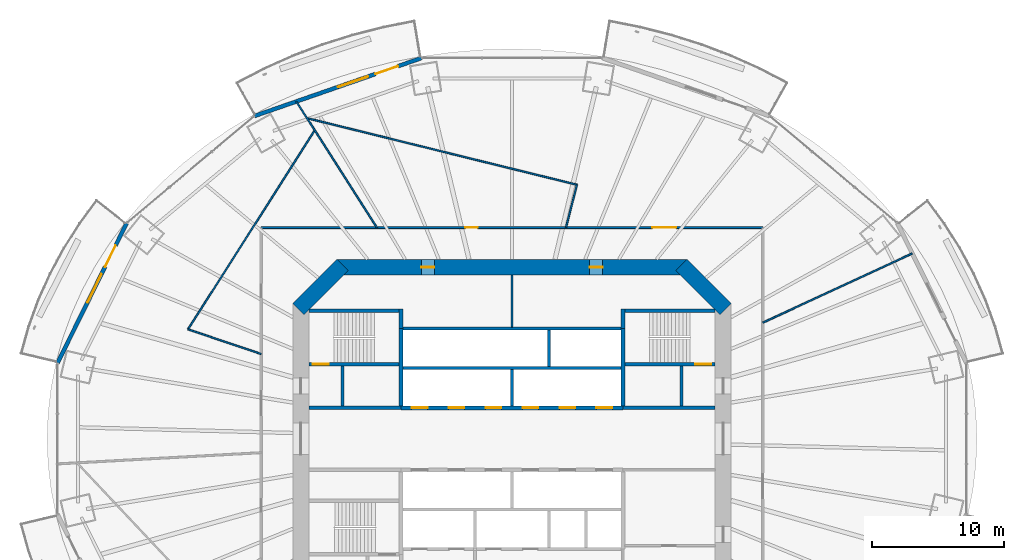
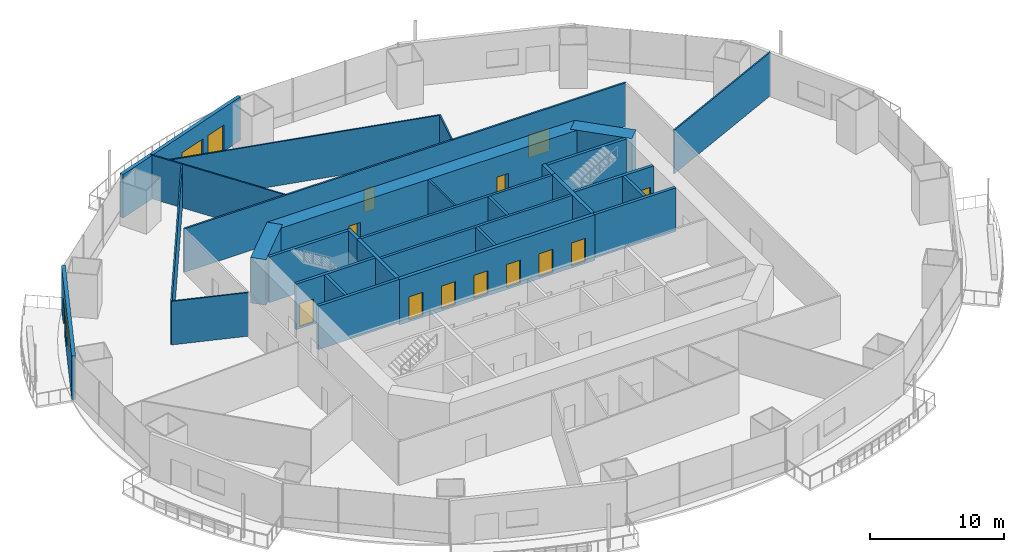
# One storey, part 15 of 22: 30 walls, 14 doors, 2 windows, 16 openings.
"""IFC4 building model written with IfcOpenShell, lengths in metres."""

from ifc_helpers import new_model, si_unit, direction, frame, frame_2d, origin, place, context, subcontext, project, spatial, rectangle, extrude, material, layer, layer_set, type_object, element, fill, save


model = new_model("IFC4")

# Units and contexts
model_context = context("Model", 3, precision=1e-05, world=origin(), true_north=direction((0.0, 1.0)))
body_context = subcontext(model_context, "Body", "Model", "MODEL_VIEW")
ifc_project = project(units=[si_unit("LENGTHUNIT", "METRE"), si_unit("AREAUNIT", "SQUARE_METRE"), si_unit("VOLUMEUNIT", "CUBIC_METRE"), si_unit("PLANEANGLEUNIT", "RADIAN"), si_unit("MASSUNIT", "GRAM", prefix="KILO")], contexts=[model_context])

# Site, building, storey
site_placement = place(None, origin())
site = spatial("IfcSite", under=ifc_project, at=site_placement, CompositionType="ELEMENT")
building_placement = place(site_placement, origin())
building = spatial("IfcBuilding", under=site, at=building_placement, Name="Marenthal Gate Tower", CompositionType="ELEMENT")
storey_placement = place(building_placement, frame((0.0, 0.0, 91.10009765625)))
storey = spatial("IfcBuildingStorey", under=building, at=storey_placement, Name="L18", CompositionType="ELEMENT", Elevation=91.10009765625)

# Wall
ifc_material_1 = material(Name="Concrete 60 MPa", Category="concrete")
ifc_layer_1 = layer(ifc_material_1, 1.199951171875)
ifc_layer_set_1 = layer_set([ifc_layer_1], Name="Core shear wall 1200")
wall_type_1 = type_object("IfcWallType", Name="Core shear wall 1200", PredefinedType="SHEAR", material=ifc_layer_set_1)
wall_1_placement = place(storey_placement, frame((16.17578125, 9.82421875, -0.18017578125), z_axis=(0.0, 0.0, 1.0), x_axis=(-0.707106781187, 0.707106781187, 0.0)))
element("IfcWall", 1, at=wall_1_placement, inside=storey, type_object=wall_type_1, Name="Core wall 03", PredefinedType="SHEAR", context=body_context, shape_type="SweptSolid", body=[
    extrude(rectangle(XDim=4.73974609375, YDim=1.199951171875, at=frame_2d((2.369873046875, 0.0))), origin(), (0.0, 0.0, 1.0), 4.150146484375),
])

# Wall, openings, doors
wall_2_placement = place(storey_placement, frame((13.24853515625, 13.0, -0.18017578125), z_axis=(0.0, 0.0, 1.0), x_axis=(-1.0, 0.0, 0.0)))
wall_2 = element("IfcWall", 2, at=wall_2_placement, inside=storey, type_object=wall_type_1, Name="Core wall 04", PredefinedType="SHEAR", context=body_context, shape_type="SweptSolid", body=[
    extrude(rectangle(XDim=26.4970703125, YDim=1.199951171875, at=frame_2d((13.24853515625, 0.0))), origin(), (0.0, 0.0, 1.0), 4.150146484375),
])
opening_1_placement = place(wall_2_placement, frame((19.12451171875, 0.0, 0.179931640625)))
opening_1 = element("IfcOpeningElement", 3, at=opening_1_placement, cuts=wall_2, Name="Opening D005.01", PredefinedType="OPENING", context=body_context, shape_type="SweptSolid", body=[
    extrude(rectangle(XDim=1.0, YDim=2.10009765625, at=frame_2d((0.5, 1.050048828125))), frame((0.0, 0.60986328125, 0.0), z_axis=(0.0, -1.0, 0.0), x_axis=(1.0, 0.0, 0.0)), (0.0, 0.0, 1.0), 1.219970703125),
])
opening_2_placement = place(wall_2_placement, frame((6.37255859375, 0.0, 0.179931640625)))
opening_2 = element("IfcOpeningElement", 4, at=opening_2_placement, cuts=wall_2, Name="Opening D005.02", PredefinedType="OPENING", context=body_context, shape_type="SweptSolid", body=[
    extrude(rectangle(XDim=1.0, YDim=2.10009765625, at=frame_2d((0.5, 1.050048828125))), frame((0.0, 0.60986328125, 0.0), z_axis=(0.0, -1.0, 0.0), x_axis=(1.0, 0.0, 0.0)), (0.0, 0.0, 1.0), 1.219970703125),
])
ifc_material_2 = material(Name="Steel fire door", Category="steel")
door_type_1 = type_object("IfcDoorType", Name="Fire door FD 45 1000 x 2100", OperationType="NOTDEFINED", PredefinedType="DOOR", material=ifc_material_2)
door_1_placement = place(opening_1_placement, origin())
door_1 = element("IfcDoor", 5, at=door_1_placement, inside=storey, type_object=door_type_1, Name="Door D005.01", OperationType="SINGLE_SWING_RIGHT", OverallHeight=2.10009765625, OverallWidth=1.0, PredefinedType="DOOR", context=body_context, shape_type="SweptSolid", body=[
    extrude(rectangle(XDim=1.0, YDim=2.10009765625, at=frame_2d((0.5, 1.050048828125))), frame((0.0, 0.02490234375, 0.0), z_axis=(0.0, -1.0, 0.0), x_axis=(1.0, 0.0, 0.0)), (0.0, 0.0, 1.0), 0.050048828125),
])
fill(opening_1, door_1)
door_2_placement = place(opening_2_placement, origin())
door_2 = element("IfcDoor", 6, at=door_2_placement, inside=storey, type_object=door_type_1, Name="Door D005.02", OperationType="SINGLE_SWING_RIGHT", OverallHeight=2.10009765625, OverallWidth=1.0, PredefinedType="DOOR", context=body_context, shape_type="SweptSolid", body=[
    extrude(rectangle(XDim=1.0, YDim=2.10009765625, at=frame_2d((0.5, 1.050048828125))), frame((0.0, 0.02490234375, 0.0), z_axis=(0.0, -1.0, 0.0), x_axis=(1.0, 0.0, 0.0)), (0.0, 0.0, 1.0), 0.050048828125),
])
fill(opening_2, door_2)

# Wall
wall_3_placement = place(storey_placement, frame((-12.82421875, 13.17578125, -0.18017578125), z_axis=(0.0, 0.0, 1.0), x_axis=(-0.707106781187, -0.707106781187, 0.0)))
element("IfcWall", 7, at=wall_3_placement, inside=storey, type_object=wall_type_1, Name="Core wall 05", PredefinedType="SHEAR", context=body_context, shape_type="SweptSolid", body=[
    extrude(rectangle(XDim=4.73974609375, YDim=1.199951171875, at=frame_2d((2.369873046875, 0.0))), origin(), (0.0, 0.0, 1.0), 4.150146484375),
])

# Wall, openings, doors
ifc_material_3 = material(Name="Concrete 50 MPa", Category="concrete")
ifc_layer_2 = layer(ifc_material_3, 0.300048828125)
ifc_layer_set_2 = layer_set([ifc_layer_2], Name="Hoistway shear wall 300")
wall_type_2 = type_object("IfcWallType", Name="Hoistway shear wall 300", PredefinedType="SHEAR", material=ifc_layer_set_2)
wall_4_placement = place(storey_placement, frame((-8.39990234375, 2.35009765625, -0.18017578125), z_axis=(0.0, 0.0, 1.0), x_axis=(1.0, 0.0, 0.0)))
wall_4 = element("IfcWall", 8, at=wall_4_placement, inside=storey, type_object=wall_type_2, Name="Hoistway wall 20", PredefinedType="SHEAR", context=body_context, shape_type="SweptSolid", body=[
    extrude(rectangle(XDim=16.7998046875, YDim=0.300048828125, at=frame_2d((8.39990234375, 0.0))), origin(), (0.0, 0.0, 1.0), 4.150146484375),
])
opening_3_placement = place(wall_4_placement, frame((0.800048828125, 0.0, 0.179931640625)))
opening_3 = element("IfcOpeningElement", 9, at=opening_3_placement, cuts=wall_4, Name="Opening LD-LP1", PredefinedType="OPENING", context=body_context, shape_type="SweptSolid", body=[
    extrude(rectangle(XDim=1.199951171875, YDim=2.10009765625, at=frame_2d((0.60009765625, 1.050048828125))), frame((0.0, 0.16015625, 0.0), z_axis=(0.0, -1.0, 0.0), x_axis=(1.0, 0.0, 0.0)), (0.0, 0.0, 1.0), 0.320068359375),
])
opening_4_placement = place(wall_4_placement, frame((3.60009765625, 0.0, 0.179931640625)))
opening_4 = element("IfcOpeningElement", 10, at=opening_4_placement, cuts=wall_4, Name="Opening LD-LP2", PredefinedType="OPENING", context=body_context, shape_type="SweptSolid", body=[
    extrude(rectangle(XDim=1.199951171875, YDim=2.10009765625, at=frame_2d((0.60009765625, 1.050048828125))), frame((0.0, 0.16015625, 0.0), z_axis=(0.0, -1.0, 0.0), x_axis=(1.0, 0.0, 0.0)), (0.0, 0.0, 1.0), 0.320068359375),
])
opening_5_placement = place(wall_4_placement, frame((6.39990234375, 0.0, 0.179931640625)))
opening_5 = element("IfcOpeningElement", 11, at=opening_5_placement, cuts=wall_4, Name="Opening LD-LP3", PredefinedType="OPENING", context=body_context, shape_type="SweptSolid", body=[
    extrude(rectangle(XDim=1.199951171875, YDim=2.10009765625, at=frame_2d((0.60009765625, 1.050048828125))), frame((0.0, 0.16015625, 0.0), z_axis=(0.0, -1.0, 0.0), x_axis=(1.0, 0.0, 0.0)), (0.0, 0.0, 1.0), 0.320068359375),
])
opening_6_placement = place(wall_4_placement, frame((9.199951171875, 0.0, 0.179931640625)))
opening_6 = element("IfcOpeningElement", 12, at=opening_6_placement, cuts=wall_4, Name="Opening LD-LP4", PredefinedType="OPENING", context=body_context, shape_type="SweptSolid", body=[
    extrude(rectangle(XDim=1.199951171875, YDim=2.10009765625, at=frame_2d((0.60009765625, 1.050048828125))), frame((0.0, 0.16015625, 0.0), z_axis=(0.0, -1.0, 0.0), x_axis=(1.0, 0.0, 0.0)), (0.0, 0.0, 1.0), 0.320068359375),
])
opening_7_placement = place(wall_4_placement, frame((12.0, 0.0, 0.179931640625)))
opening_7 = element("IfcOpeningElement", 13, at=opening_7_placement, cuts=wall_4, Name="Opening LD-LP5", PredefinedType="OPENING", context=body_context, shape_type="SweptSolid", body=[
    extrude(rectangle(XDim=1.199951171875, YDim=2.10009765625, at=frame_2d((0.60009765625, 1.050048828125))), frame((0.0, 0.16015625, 0.0), z_axis=(0.0, -1.0, 0.0), x_axis=(1.0, 0.0, 0.0)), (0.0, 0.0, 1.0), 0.320068359375),
])
opening_8_placement = place(wall_4_placement, frame((14.800048828125, 0.0, 0.179931640625)))
opening_8 = element("IfcOpeningElement", 14, at=opening_8_placement, cuts=wall_4, Name="Opening LD-LP6", PredefinedType="OPENING", context=body_context, shape_type="SweptSolid", body=[
    extrude(rectangle(XDim=1.199951171875, YDim=2.10009765625, at=frame_2d((0.60009765625, 1.050048828125))), frame((0.0, 0.16015625, 0.0), z_axis=(0.0, -1.0, 0.0), x_axis=(1.0, 0.0, 0.0)), (0.0, 0.0, 1.0), 0.320068359375),
])
ifc_material_4 = material(Name="Stainless steel sliding door", Category="steel")
door_type_2 = type_object("IfcDoorType", Name="Lift landing door FD 90 1200 x 2100", OperationType="DOUBLE_DOOR_SLIDING", PredefinedType="DOOR", material=ifc_material_4)
door_3_placement = place(opening_3_placement, origin())
door_3 = element("IfcDoor", 15, at=door_3_placement, inside=storey, type_object=door_type_2, Name="Lift landing door LP1", OperationType="DOUBLE_DOOR_SLIDING", OverallHeight=2.10009765625, OverallWidth=1.199951171875, PredefinedType="DOOR", context=body_context, shape_type="SweptSolid", body=[
    extrude(rectangle(XDim=1.199951171875, YDim=2.10009765625, at=frame_2d((0.60009765625, 1.050048828125))), frame((0.0, 0.02490234375, 0.0), z_axis=(0.0, -1.0, 0.0), x_axis=(1.0, 0.0, 0.0)), (0.0, 0.0, 1.0), 0.050048828125),
])
fill(opening_3, door_3)
door_4_placement = place(opening_4_placement, origin())
door_4 = element("IfcDoor", 16, at=door_4_placement, inside=storey, type_object=door_type_2, Name="Lift landing door LP2", OperationType="DOUBLE_DOOR_SLIDING", OverallHeight=2.10009765625, OverallWidth=1.199951171875, PredefinedType="DOOR", context=body_context, shape_type="SweptSolid", body=[
    extrude(rectangle(XDim=1.199951171875, YDim=2.10009765625, at=frame_2d((0.60009765625, 1.050048828125))), frame((0.0, 0.02490234375, 0.0), z_axis=(0.0, -1.0, 0.0), x_axis=(1.0, 0.0, 0.0)), (0.0, 0.0, 1.0), 0.050048828125),
])
fill(opening_4, door_4)
door_5_placement = place(opening_5_placement, origin())
door_5 = element("IfcDoor", 17, at=door_5_placement, inside=storey, type_object=door_type_2, Name="Lift landing door LP3", OperationType="DOUBLE_DOOR_SLIDING", OverallHeight=2.10009765625, OverallWidth=1.199951171875, PredefinedType="DOOR", context=body_context, shape_type="SweptSolid", body=[
    extrude(rectangle(XDim=1.199951171875, YDim=2.10009765625, at=frame_2d((0.60009765625, 1.050048828125))), frame((0.0, 0.02490234375, 0.0), z_axis=(0.0, -1.0, 0.0), x_axis=(1.0, 0.0, 0.0)), (0.0, 0.0, 1.0), 0.050048828125),
])
fill(opening_5, door_5)
door_6_placement = place(opening_6_placement, origin())
door_6 = element("IfcDoor", 18, at=door_6_placement, inside=storey, type_object=door_type_2, Name="Lift landing door LP4", OperationType="DOUBLE_DOOR_SLIDING", OverallHeight=2.10009765625, OverallWidth=1.199951171875, PredefinedType="DOOR", context=body_context, shape_type="SweptSolid", body=[
    extrude(rectangle(XDim=1.199951171875, YDim=2.10009765625, at=frame_2d((0.60009765625, 1.050048828125))), frame((0.0, 0.02490234375, 0.0), z_axis=(0.0, -1.0, 0.0), x_axis=(1.0, 0.0, 0.0)), (0.0, 0.0, 1.0), 0.050048828125),
])
fill(opening_6, door_6)
door_7_placement = place(opening_7_placement, origin())
door_7 = element("IfcDoor", 19, at=door_7_placement, inside=storey, type_object=door_type_2, Name="Lift landing door LP5", OperationType="DOUBLE_DOOR_SLIDING", OverallHeight=2.10009765625, OverallWidth=1.199951171875, PredefinedType="DOOR", context=body_context, shape_type="SweptSolid", body=[
    extrude(rectangle(XDim=1.199951171875, YDim=2.10009765625, at=frame_2d((0.60009765625, 1.050048828125))), frame((0.0, 0.02490234375, 0.0), z_axis=(0.0, -1.0, 0.0), x_axis=(1.0, 0.0, 0.0)), (0.0, 0.0, 1.0), 0.050048828125),
])
fill(opening_7, door_7)
door_8_placement = place(opening_8_placement, origin())
door_8 = element("IfcDoor", 20, at=door_8_placement, inside=storey, type_object=door_type_2, Name="Lift landing door LP6", OperationType="DOUBLE_DOOR_SLIDING", OverallHeight=2.10009765625, OverallWidth=1.199951171875, PredefinedType="DOOR", context=body_context, shape_type="SweptSolid", body=[
    extrude(rectangle(XDim=1.199951171875, YDim=2.10009765625, at=frame_2d((0.60009765625, 1.050048828125))), frame((0.0, 0.02490234375, 0.0), z_axis=(0.0, -1.0, 0.0), x_axis=(1.0, 0.0, 0.0)), (0.0, 0.0, 1.0), 0.050048828125),
])
fill(opening_8, door_8)

# Walls
for number, where, z_axis, x_axis, name in (
    (21, (-8.39990234375, 2.5, -0.18017578125), (0.0, 0.0, 1.0), (0.0, 1.0, 0.0), "Hoistway wall 32"),
    (22, (8.39990234375, 2.5, -0.18017578125), (0.0, 0.0, 1.0), (0.0, 1.0, 0.0), "Hoistway wall 44"),
):
    element("IfcWall", number, at=place(storey_placement, frame(where, z_axis=z_axis, x_axis=x_axis)), inside=storey, type_object=wall_type_2, Name=name, PredefinedType="SHEAR", context=body_context, shape_type="SweptSolid", body=[
        extrude(rectangle(XDim=5.85009765625, YDim=0.300048828125, at=frame_2d((2.925048828125, 0.0))), origin(), (0.0, 0.0, 1.0), 4.150146484375),
    ])
ifc_material_5 = material(Name="Concrete 40 MPa", Category="concrete")
ifc_layer_3 = layer(ifc_material_5, 0.219970703125)
ifc_layer_set_3 = layer_set([ifc_layer_3], Name="Hoistway wall 220")
wall_type_3 = type_object("IfcWallType", Name="Hoistway wall 220", PredefinedType="STANDARD", material=ifc_layer_set_3)
for number, where, z_axis, x_axis, name in (
    (23, (-8.25, 5.35009765625, 0.0), (0.0, 0.0, 1.0), (1.0, 0.0, 0.0), "Hoistway wall 22"),
    (24, (-8.25, 8.35009765625, 0.0), (0.0, 0.0, 1.0), (1.0, 0.0, 0.0), "Hoistway wall 25"),
):
    element("IfcWall", number, at=place(storey_placement, frame(where, z_axis=z_axis, x_axis=x_axis)), inside=storey, type_object=wall_type_3, Name=name, PredefinedType="STANDARD", context=body_context, shape_type="SweptSolid", body=[
        extrude(rectangle(XDim=16.5, YDim=0.219970703125, at=frame_2d((8.25, 0.0))), origin(), (0.0, 0.0, 1.0), 3.969970703125),
    ])
wall_5_placement = place(storey_placement, frame((0.0, 2.5, 0.0), z_axis=(0.0, 0.0, 1.0), x_axis=(0.0, 1.0, 0.0)))
element("IfcWall", 25, at=wall_5_placement, inside=storey, type_object=wall_type_3, Name="Hoistway wall 37", PredefinedType="STANDARD", context=body_context, shape_type="SweptSolid", body=[
    extrude(rectangle(XDim=2.739990234375, YDim=0.219970703125, at=frame_2d((1.3701171875, 0.0))), origin(), (0.0, 0.0, 1.0), 3.969970703125),
])
wall_6_placement = place(storey_placement, frame((2.800048828125, 5.4599609375, 0.0), z_axis=(0.0, 0.0, 1.0), x_axis=(0.0, 1.0, 0.0)))
element("IfcWall", 26, at=wall_6_placement, inside=storey, type_object=wall_type_3, Name="Hoistway wall 40", PredefinedType="STANDARD", context=body_context, shape_type="SweptSolid", body=[
    extrude(rectangle(XDim=2.780029296875, YDim=0.219970703125, at=frame_2d((1.39013671875, 0.0))), origin(), (0.0, 0.0, 1.0), 3.969970703125),
])
ifc_material_6 = material(Name="Gypsum board on steel studs", Category="steel")
ifc_layer_4 = layer(ifc_material_6, 0.1201171875)
ifc_layer_set_4 = layer_set([ifc_layer_4], Name="Partition 120")
wall_type_4 = type_object("IfcWallType", Name="Partition 120", PredefinedType="PARTITIONING", material=ifc_layer_set_4)
wall_7_placement = place(storey_placement, frame((-24.547607421875, 8.293701171875, 0.0), z_axis=(0.0, 0.0, 1.0), x_axis=(0.947391329826, -0.320077597108, 0.0)))
element("IfcWall", 27, at=wall_7_placement, inside=storey, type_object=wall_type_4, Name="Partition wall 48", PredefinedType="PARTITIONING", context=body_context, shape_type="SweptSolid", body=[
    extrude(rectangle(XDim=5.855712890625, YDim=0.1201171875, at=frame_2d((2.927734375, 0.0))), origin(), (0.0, 0.0, 1.0), 3.969970703125),
])
wall_8_placement = place(storey_placement, frame((-14.9482421875, 23.376708984375, 0.0), z_axis=(0.0, 0.0, 1.0), x_axis=(-0.536918787307, -0.843633934735, 0.0)))
element("IfcWall", 28, at=wall_8_placement, inside=storey, type_object=wall_type_4, Name="Partition wall 53", PredefinedType="PARTITIONING", context=body_context, shape_type="SweptSolid", body=[
    extrude(rectangle(XDim=17.878662109375, YDim=0.1201171875, at=frame_2d((8.939453125, 0.0))), origin(), (0.0, 0.0, 1.0), 3.969970703125),
])
wall_9_placement = place(storey_placement, frame((-10.231201171875, 16.0, 0.0), z_axis=(0.0, 0.0, 1.0), x_axis=(-0.538717793893, 0.84248628389, 0.0)))
element("IfcWall", 29, at=wall_9_placement, inside=storey, type_object=wall_type_4, Name="Partition wall 54", PredefinedType="PARTITIONING", context=body_context, shape_type="SweptSolid", body=[
    extrude(rectangle(XDim=11.34521484375, YDim=0.1201171875, at=frame_2d((5.672607421875, 0.0))), origin(), (0.0, 0.0, 1.0), 3.969970703125),
])
wall_10_placement = place(storey_placement, frame((4.920166015625, 19.24853515625, 0.0), z_axis=(0.0, 0.0, 1.0), x_axis=(-0.970900483389, 0.239483300786, 0.0)))
element("IfcWall", 30, at=wall_10_placement, inside=storey, type_object=wall_type_4, Name="Partition wall 60", PredefinedType="PARTITIONING", context=body_context, shape_type="SweptSolid", body=[
    extrude(rectangle(XDim=21.06787109375, YDim=0.1201171875, at=frame_2d((10.533935546875, 0.0))), origin(), (0.0, 0.0, 1.0), 3.969970703125),
])
wall_11_placement = place(storey_placement, frame((4.920166015625, 19.24853515625, 0.0), z_axis=(0.0, 0.0, 1.0), x_axis=(-0.247706104216, -0.96883522125, 0.0)))
element("IfcWall", 31, at=wall_11_placement, inside=storey, type_object=wall_type_4, Name="Partition wall 61", PredefinedType="PARTITIONING", context=body_context, shape_type="SweptSolid", body=[
    extrude(rectangle(XDim=3.35302734375, YDim=0.1201171875, at=frame_2d((1.676513671875, 0.0))), origin(), (0.0, 0.0, 1.0), 3.969970703125),
])
wall_12_placement = place(storey_placement, frame((19.0, 8.798095703125, 0.0), z_axis=(0.0, 0.0, 1.0), x_axis=(0.907434463357, 0.420193639543, 0.0)))
element("IfcWall", 32, at=wall_12_placement, inside=storey, type_object=wall_type_4, Name="Partition wall 65", PredefinedType="PARTITIONING", context=body_context, shape_type="SweptSolid", body=[
    extrude(rectangle(XDim=12.486083984375, YDim=0.1201171875, at=frame_2d((6.2431640625, 0.0))), origin(), (0.0, 0.0, 1.0), 3.969970703125),
])
ifc_material_7 = material(Name="Gypsum board on steel studs", Category="steel")
ifc_layer_5 = layer(ifc_material_7, 0.14990234375)
ifc_layer_set_5 = layer_set([ifc_layer_5], Name="Partition 150")
wall_type_5 = type_object("IfcWallType", Name="Partition 150", PredefinedType="PARTITIONING", material=ifc_layer_set_5)
wall_13_placement = place(storey_placement, frame((0.0, 8.4599609375, 0.0), z_axis=(0.0, 0.0, 1.0), x_axis=(0.0, 1.0, 0.0)))
element("IfcWall", 33, at=wall_13_placement, inside=storey, type_object=wall_type_5, Name="Partition wall 38", PredefinedType="PARTITIONING", context=body_context, shape_type="SweptSolid", body=[
    extrude(rectangle(XDim=3.93994140625, YDim=0.14990234375, at=frame_2d((1.969970703125, 0.0))), origin(), (0.0, 0.0, 1.0), 3.969970703125),
])

# Wall, openings, doors
wall_14_placement = place(storey_placement, frame((-19.0, 16.0, 0.0), z_axis=(0.0, 0.0, 1.0), x_axis=(1.0, 0.0, 0.0)))
wall_14 = element("IfcWall", 34, at=wall_14_placement, inside=storey, type_object=wall_type_5, Name="Partition wall 52", PredefinedType="PARTITIONING", context=body_context, shape_type="SweptSolid", body=[
    extrude(rectangle(XDim=38.0, YDim=0.14990234375, at=frame_2d((19.0, 0.0))), origin(), (0.0, 0.0, 1.0), 3.969970703125),
])
opening_9_placement = place(wall_14_placement, frame((15.455078125, 0.0, 0.0)))
opening_9 = element("IfcOpeningElement", 35, at=opening_9_placement, cuts=wall_14, Name="Opening D016.01", PredefinedType="OPENING", context=body_context, shape_type="SweptSolid", body=[
    extrude(rectangle(XDim=0.949951171875, YDim=2.10009765625, at=frame_2d((0.47509765625, 1.050048828125))), frame((0.0, 0.0849609375, 0.0), z_axis=(0.0, -1.0, 0.0), x_axis=(1.0, 0.0, 0.0)), (0.0, 0.0, 1.0), 0.169921875),
])
opening_10_placement = place(wall_14_placement, frame((29.64501953125, 0.0, 0.0)))
opening_10 = element("IfcOpeningElement", 36, at=opening_10_placement, cuts=wall_14, Name="Opening D014.01", PredefinedType="OPENING", context=body_context, shape_type="SweptSolid", body=[
    extrude(rectangle(XDim=1.800048828125, YDim=2.10009765625, at=frame_2d((0.89990234375, 1.050048828125))), frame((0.0, 0.0849609375, 0.0), z_axis=(0.0, -1.0, 0.0), x_axis=(1.0, 0.0, 0.0)), (0.0, 0.0, 1.0), 0.169921875),
])
ifc_material_8 = material(Name="Timber door", Category="wood")
door_type_3 = type_object("IfcDoorType", Name="Door 950 x 2100", OperationType="NOTDEFINED", PredefinedType="DOOR", material=ifc_material_8)
door_9_placement = place(opening_9_placement, origin())
door_9 = element("IfcDoor", 37, at=door_9_placement, inside=storey, type_object=door_type_3, Name="Door D016.01", OperationType="SINGLE_SWING_RIGHT", OverallHeight=2.10009765625, OverallWidth=0.949951171875, PredefinedType="DOOR", context=body_context, shape_type="SweptSolid", body=[
    extrude(rectangle(XDim=0.949951171875, YDim=2.10009765625, at=frame_2d((0.47509765625, 1.050048828125))), frame((0.0, 0.02490234375, 0.0), z_axis=(0.0, -1.0, 0.0), x_axis=(1.0, 0.0, 0.0)), (0.0, 0.0, 1.0), 0.050048828125),
])
fill(opening_9, door_9)
ifc_material_9 = material(Name="Timber door", Category="wood")
door_type_4 = type_object("IfcDoorType", Name="Double door 1800 x 2100", OperationType="DOUBLE_DOOR_SINGLE_SWING", PredefinedType="DOOR", material=ifc_material_9)
door_10_placement = place(opening_10_placement, origin())
door_10 = element("IfcDoor", 38, at=door_10_placement, inside=storey, type_object=door_type_4, Name="Door D014.01", OperationType="DOUBLE_DOOR_SINGLE_SWING", OverallHeight=2.10009765625, OverallWidth=1.800048828125, PredefinedType="DOOR", context=body_context, shape_type="SweptSolid", body=[
    extrude(rectangle(XDim=1.800048828125, YDim=2.10009765625, at=frame_2d((0.89990234375, 1.050048828125))), frame((0.0, 0.02490234375, 0.0), z_axis=(0.0, -1.0, 0.0), x_axis=(1.0, 0.0, 0.0)), (0.0, 0.0, 1.0), 0.050048828125),
])
fill(opening_10, door_10)

# Walls
ifc_material_10 = material(Name="Concrete 40 MPa", Category="concrete")
ifc_layer_6 = layer(ifc_material_10, 0.25)
ifc_layer_set_6 = layer_set([ifc_layer_6], Name="Stair enclosure wall 250")
wall_type_6 = type_object("IfcWallType", Name="Stair enclosure wall 250", PredefinedType="STANDARD", material=ifc_layer_set_6)
for number, where, z_axis, x_axis, name in (
    (39, (-15.39990234375, 2.35009765625, 0.0), (0.0, 0.0, 1.0), (1.0, 0.0, 0.0), "Stair wall 19"),
    (40, (8.39990234375, 2.35009765625, 0.0), (0.0, 0.0, 1.0), (1.0, 0.0, 0.0), "Stair wall 21"),
):
    element("IfcWall", number, at=place(storey_placement, frame(where, z_axis=z_axis, x_axis=x_axis)), inside=storey, type_object=wall_type_6, Name=name, PredefinedType="STANDARD", context=body_context, shape_type="SweptSolid", body=[
        extrude(rectangle(XDim=7.0, YDim=0.25, at=frame_2d((3.5, 0.0))), origin(), (0.0, 0.0, 1.0), 3.969970703125),
    ])
for number, where, z_axis, x_axis, name in (
    (41, (-12.85009765625, 2.47509765625, 0.0), (0.0, 0.0, 1.0), (0.0, 1.0, 0.0), "Stair wall 28"),
    (42, (12.85009765625, 2.47509765625, 0.0), (0.0, 0.0, 1.0), (0.0, 1.0, 0.0), "Stair wall 46"),
):
    element("IfcWall", number, at=place(storey_placement, frame(where, z_axis=z_axis, x_axis=x_axis)), inside=storey, type_object=wall_type_6, Name=name, PredefinedType="STANDARD", context=body_context, shape_type="SweptSolid", body=[
        extrude(rectangle(XDim=3.0498046875, YDim=0.25, at=frame_2d((1.52490234375, 0.0))), origin(), (0.0, 0.0, 1.0), 3.969970703125),
    ])

# Wall, opening, door
ifc_material_11 = material(Name="Concrete 50 MPa", Category="concrete")
ifc_layer_7 = layer(ifc_material_11, 0.25)
ifc_layer_set_7 = layer_set([ifc_layer_7], Name="Stair shear wall 250")
wall_type_7 = type_object("IfcWallType", Name="Stair shear wall 250", PredefinedType="SHEAR", material=ifc_layer_set_7)
wall_15_placement = place(storey_placement, frame((-15.39990234375, 5.64990234375, -0.18017578125), z_axis=(0.0, 0.0, 1.0), x_axis=(1.0, 0.0, 0.0)))
wall_15 = element("IfcWall", 43, at=wall_15_placement, inside=storey, type_object=wall_type_7, Name="Stair wall 23", PredefinedType="SHEAR", context=body_context, shape_type="SweptSolid", body=[
    extrude(rectangle(XDim=6.849853515625, YDim=0.25, at=frame_2d((3.4248046875, 0.0))), origin(), (0.0, 0.0, 1.0), 4.150146484375),
])
opening_11_placement = place(wall_15_placement, frame((0.300048828125, 0.0, 0.179931640625)))
opening_11 = element("IfcOpeningElement", 44, at=opening_11_placement, cuts=wall_15, Name="Opening D001.01", PredefinedType="OPENING", context=body_context, shape_type="SweptSolid", body=[
    extrude(rectangle(XDim=1.199951171875, YDim=2.10009765625, at=frame_2d((0.60009765625, 1.050048828125))), frame((0.0, 0.135009765625, 0.0), z_axis=(0.0, -1.0, 0.0), x_axis=(1.0, 0.0, 0.0)), (0.0, 0.0, 1.0), 0.27001953125),
])
ifc_material_12 = material(Name="Steel fire door", Category="steel")
door_type_5 = type_object("IfcDoorType", Name="Fire door FD 90 1200 x 2100", OperationType="NOTDEFINED", PredefinedType="DOOR", material=ifc_material_12)
door_11_placement = place(opening_11_placement, origin())
door_11 = element("IfcDoor", 45, at=door_11_placement, inside=storey, type_object=door_type_5, Name="Door D001.01", OperationType="SINGLE_SWING_RIGHT", OverallHeight=2.10009765625, OverallWidth=1.199951171875, PredefinedType="DOOR", context=body_context, shape_type="SweptSolid", body=[
    extrude(rectangle(XDim=1.199951171875, YDim=2.10009765625, at=frame_2d((0.60009765625, 1.050048828125))), frame((0.0, 0.02490234375, 0.0), z_axis=(0.0, -1.0, 0.0), x_axis=(1.0, 0.0, 0.0)), (0.0, 0.0, 1.0), 0.050048828125),
])
fill(opening_11, door_11)

wall_16_placement = place(storey_placement, frame((8.550048828125, 5.64990234375, -0.18017578125), z_axis=(0.0, 0.0, 1.0), x_axis=(1.0, 0.0, 0.0)))
wall_16 = element("IfcWall", 46, at=wall_16_placement, inside=storey, type_object=wall_type_7, Name="Stair wall 24", PredefinedType="SHEAR", context=body_context, shape_type="SweptSolid", body=[
    extrude(rectangle(XDim=6.849853515625, YDim=0.25, at=frame_2d((3.4248046875, 0.0))), origin(), (0.0, 0.0, 1.0), 4.150146484375),
])
opening_12_placement = place(wall_16_placement, frame((5.35009765625, 0.0, 0.179931640625)))
opening_12 = element("IfcOpeningElement", 47, at=opening_12_placement, cuts=wall_16, Name="Opening D001.02", PredefinedType="OPENING", context=body_context, shape_type="SweptSolid", body=[
    extrude(rectangle(XDim=1.199951171875, YDim=2.10009765625, at=frame_2d((0.60009765625, 1.050048828125))), frame((0.0, 0.135009765625, 0.0), z_axis=(0.0, -1.0, 0.0), x_axis=(1.0, 0.0, 0.0)), (0.0, 0.0, 1.0), 0.27001953125),
])
door_12_placement = place(opening_12_placement, origin())
door_12 = element("IfcDoor", 48, at=door_12_placement, inside=storey, type_object=door_type_5, Name="Door D001.02", OperationType="SINGLE_SWING_RIGHT", OverallHeight=2.10009765625, OverallWidth=1.199951171875, PredefinedType="DOOR", context=body_context, shape_type="SweptSolid", body=[
    extrude(rectangle(XDim=1.199951171875, YDim=2.10009765625, at=frame_2d((0.60009765625, 1.050048828125))), frame((0.0, 0.02490234375, 0.0), z_axis=(0.0, -1.0, 0.0), x_axis=(1.0, 0.0, 0.0)), (0.0, 0.0, 1.0), 0.050048828125),
])
fill(opening_12, door_12)

# Walls
for number, where, z_axis, x_axis, name in (
    (49, (-15.39990234375, 9.699951171875, -0.18017578125), (0.0, 0.0, 1.0), (1.0, 0.0, 0.0), "Stair wall 26"),
    (50, (8.550048828125, 9.699951171875, -0.18017578125), (0.0, 0.0, 1.0), (1.0, 0.0, 0.0), "Stair wall 27"),
):
    element("IfcWall", number, at=place(storey_placement, frame(where, z_axis=z_axis, x_axis=x_axis)), inside=storey, type_object=wall_type_7, Name=name, PredefinedType="SHEAR", context=body_context, shape_type="SweptSolid", body=[
        extrude(rectangle(XDim=6.849853515625, YDim=0.25, at=frame_2d((3.4248046875, 0.0))), origin(), (0.0, 0.0, 1.0), 4.150146484375),
    ])
ifc_material_13 = material(Name="Concrete 50 MPa", Category="concrete")
ifc_layer_8 = layer(ifc_material_13, 0.300048828125)
ifc_layer_set_8 = layer_set([ifc_layer_8], Name="Stair shear wall 300")
wall_type_8 = type_object("IfcWallType", Name="Stair shear wall 300", PredefinedType="SHEAR", material=ifc_layer_set_8)
for number, where, z_axis, x_axis, name in (
    (51, (-8.39990234375, 8.35009765625, -0.18017578125), (0.0, 0.0, 1.0), (0.0, 1.0, 0.0), "Stair wall 33"),
    (52, (8.39990234375, 8.35009765625, -0.18017578125), (0.0, 0.0, 1.0), (0.0, 1.0, 0.0), "Stair wall 45"),
):
    element("IfcWall", number, at=place(storey_placement, frame(where, z_axis=z_axis, x_axis=x_axis)), inside=storey, type_object=wall_type_8, Name=name, PredefinedType="SHEAR", context=body_context, shape_type="SweptSolid", body=[
        extrude(rectangle(XDim=1.474853515625, YDim=0.300048828125, at=frame_2d((0.7373046875, 0.0))), origin(), (0.0, 0.0, 1.0), 4.150146484375),
    ])

# Wall, openings, door, window
ifc_material_14 = material(Name="Terracotta cladding on insulated concrete-block backing", Category="masonry")
ifc_layer_9 = layer(ifc_material_14, 0.300048828125)
ifc_layer_set_9 = layer_set([ifc_layer_9], Name="Terracotta facade wall 300")
wall_type_9 = type_object("IfcWallType", Name="Terracotta facade wall 300", PredefinedType="SOLIDWALL", material=ifc_layer_set_9)
wall_17_placement = place(storey_placement, frame((-6.849853515625, 28.852783203125, 0.0), z_axis=(0.0, 0.0, 1.0), x_axis=(-0.944722748464, -0.327870292241, 0.0)))
wall_17 = element("IfcWall", 53, at=wall_17_placement, inside=storey, type_object=wall_type_9, Name="Terracotta facade wall L18 bay 5", PredefinedType="SOLIDWALL", context=body_context, shape_type="SweptSolid", body=[
    extrude(rectangle(XDim=13.397216796875, YDim=0.300048828125, at=frame_2d((6.69873046875, 0.0))), origin(), (0.0, 0.0, 1.0), 3.969970703125),
])
opening_13_placement = place(wall_17_placement, frame((1.89990234375, 0.0, 0.0)))
opening_13 = element("IfcOpeningElement", 54, at=opening_13_placement, cuts=wall_17, Name="Opening BD-L18-05", PredefinedType="OPENING", context=body_context, shape_type="SweptSolid", body=[
    extrude(rectangle(XDim=1.800048828125, YDim=2.39990234375, at=frame_2d((0.89990234375, 1.199951171875))), frame((0.0, 0.16015625, 0.0), z_axis=(0.0, -1.0, 0.0), x_axis=(1.0, 0.0, 0.0)), (0.0, 0.0, 1.0), 0.320068359375),
])
opening_14_placement = place(wall_17_placement, frame((4.300048828125, 0.0, 0.89990234375)))
opening_14 = element("IfcOpeningElement", 55, at=opening_14_placement, cuts=wall_17, Name="Opening WN1-L18-05", PredefinedType="OPENING", context=body_context, shape_type="SweptSolid", body=[
    extrude(rectangle(XDim=2.39990234375, YDim=1.5, at=frame_2d((1.199951171875, 0.75))), frame((0.0, 0.16015625, 0.0), z_axis=(0.0, -1.0, 0.0), x_axis=(1.0, 0.0, 0.0)), (0.0, 0.0, 1.0), 0.320068359375),
])
ifc_material_15 = material(Name="Aluminium and glass", Category="aluminium")
door_type_6 = type_object("IfcDoorType", Name="Balcony door 1800x2400", OperationType="DOUBLE_DOOR_SINGLE_SWING", PredefinedType="DOOR", material=ifc_material_15)
door_13_placement = place(opening_13_placement, origin())
door_13 = element("IfcDoor", 56, at=door_13_placement, inside=storey, type_object=door_type_6, Name="Balcony door L18 bay 5", OperationType="SINGLE_SWING_LEFT", OverallHeight=2.39990234375, OverallWidth=1.800048828125, PredefinedType="DOOR", context=body_context, shape_type="SweptSolid", body=[
    extrude(rectangle(XDim=1.800048828125, YDim=2.39990234375, at=frame_2d((0.89990234375, 1.199951171875))), frame((0.0, 0.02490234375, 0.0), z_axis=(0.0, -1.0, 0.0), x_axis=(1.0, 0.0, 0.0)), (0.0, 0.0, 1.0), 0.050048828125),
])
fill(opening_13, door_13)
ifc_material_16 = material(Name="Aluminium and glass", Category="aluminium")
window_type = type_object("IfcWindowType", Name="Window 2400x1500", PartitioningType="TRIPLE_PANEL_VERTICAL", PredefinedType="WINDOW", material=ifc_material_16)
window_1_placement = place(opening_14_placement, origin())
window_1 = element("IfcWindow", 57, at=window_1_placement, inside=storey, type_object=window_type, Name="Window L18 bay 5", OverallHeight=1.5, OverallWidth=2.39990234375, PartitioningType="SINGLE_PANEL", PredefinedType="WINDOW", context=body_context, shape_type="SweptSolid", body=[
    extrude(rectangle(XDim=2.39990234375, YDim=1.5, at=frame_2d((1.199951171875, 0.75))), frame((0.0, 0.030029296875, 0.0), z_axis=(0.0, -1.0, 0.0), x_axis=(1.0, 0.0, 0.0)), (0.0, 0.0, 1.0), 0.06005859375),
])
fill(opening_14, window_1)

wall_18_placement = place(storey_placement, frame((-29.193603515625, 16.34375, 0.0), z_axis=(0.0, 0.0, 1.0), x_axis=(-0.443197104999, -0.896424188719, 0.0)))
wall_18 = element("IfcWall", 58, at=wall_18_placement, inside=storey, type_object=wall_type_9, Name="Terracotta facade wall L18 bay 7", PredefinedType="SOLIDWALL", context=body_context, shape_type="SweptSolid", body=[
    extrude(rectangle(XDim=11.829833984375, YDim=0.300048828125, at=frame_2d((5.9150390625, 0.0))), origin(), (0.0, 0.0, 1.0), 3.969970703125),
])
opening_15_placement = place(wall_18_placement, frame((1.89990234375, 0.0, 0.0)))
opening_15 = element("IfcOpeningElement", 59, at=opening_15_placement, cuts=wall_18, Name="Opening BD-L18-07", PredefinedType="OPENING", context=body_context, shape_type="SweptSolid", body=[
    extrude(rectangle(XDim=1.800048828125, YDim=2.39990234375, at=frame_2d((0.89990234375, 1.199951171875))), frame((0.0, 0.16015625, 0.0), z_axis=(0.0, -1.0, 0.0), x_axis=(1.0, 0.0, 0.0)), (0.0, 0.0, 1.0), 0.320068359375),
])
opening_16_placement = place(wall_18_placement, frame((4.300048828125, 0.0, 0.89990234375)))
opening_16 = element("IfcOpeningElement", 60, at=opening_16_placement, cuts=wall_18, Name="Opening WN1-L18-07", PredefinedType="OPENING", context=body_context, shape_type="SweptSolid", body=[
    extrude(rectangle(XDim=2.39990234375, YDim=1.5, at=frame_2d((1.199951171875, 0.75))), frame((0.0, 0.16015625, 0.0), z_axis=(0.0, -1.0, 0.0), x_axis=(1.0, 0.0, 0.0)), (0.0, 0.0, 1.0), 0.320068359375),
])
door_14_placement = place(opening_15_placement, origin())
door_14 = element("IfcDoor", 61, at=door_14_placement, inside=storey, type_object=door_type_6, Name="Balcony door L18 bay 7", OperationType="SINGLE_SWING_LEFT", OverallHeight=2.39990234375, OverallWidth=1.800048828125, PredefinedType="DOOR", context=body_context, shape_type="SweptSolid", body=[
    extrude(rectangle(XDim=1.800048828125, YDim=2.39990234375, at=frame_2d((0.89990234375, 1.199951171875))), frame((0.0, 0.02490234375, 0.0), z_axis=(0.0, -1.0, 0.0), x_axis=(1.0, 0.0, 0.0)), (0.0, 0.0, 1.0), 0.050048828125),
])
fill(opening_15, door_14)
window_2_placement = place(opening_16_placement, origin())
window_2 = element("IfcWindow", 62, at=window_2_placement, inside=storey, type_object=window_type, Name="Window L18 bay 7", OverallHeight=1.5, OverallWidth=2.39990234375, PartitioningType="SINGLE_PANEL", PredefinedType="WINDOW", context=body_context, shape_type="SweptSolid", body=[
    extrude(rectangle(XDim=2.39990234375, YDim=1.5, at=frame_2d((1.199951171875, 0.75))), frame((0.0, 0.030029296875, 0.0), z_axis=(0.0, -1.0, 0.0), x_axis=(1.0, 0.0, 0.0)), (0.0, 0.0, 1.0), 0.06005859375),
])
fill(opening_16, window_2)

save(model, "model.ifc")
